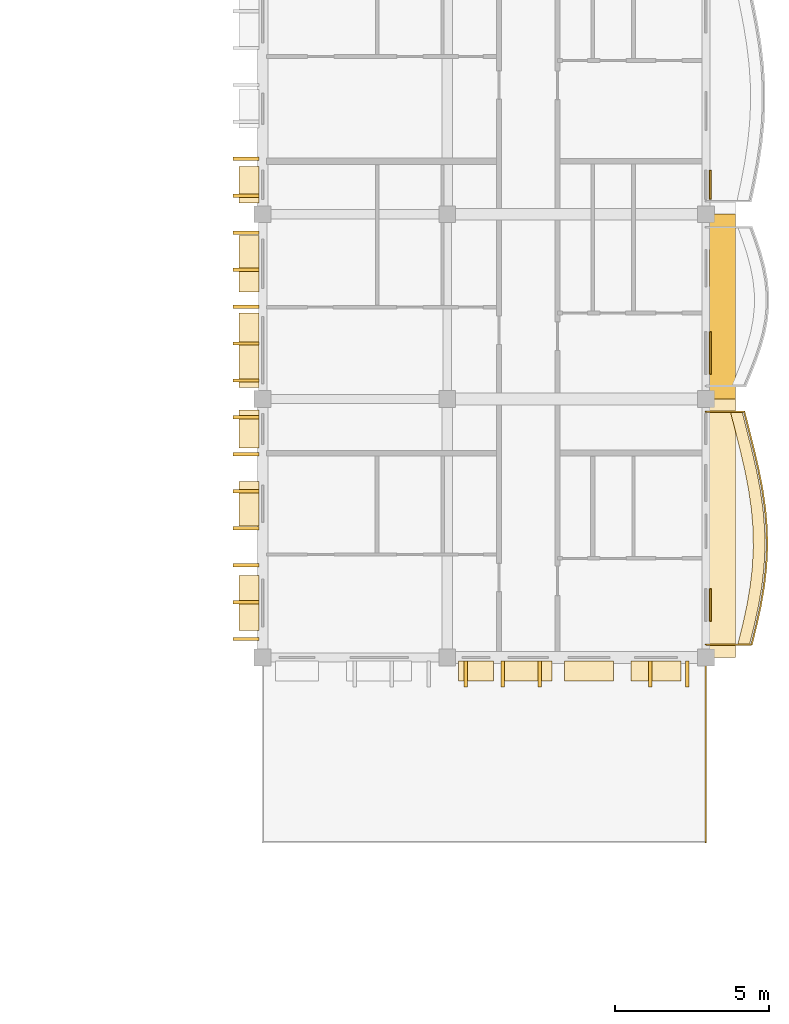
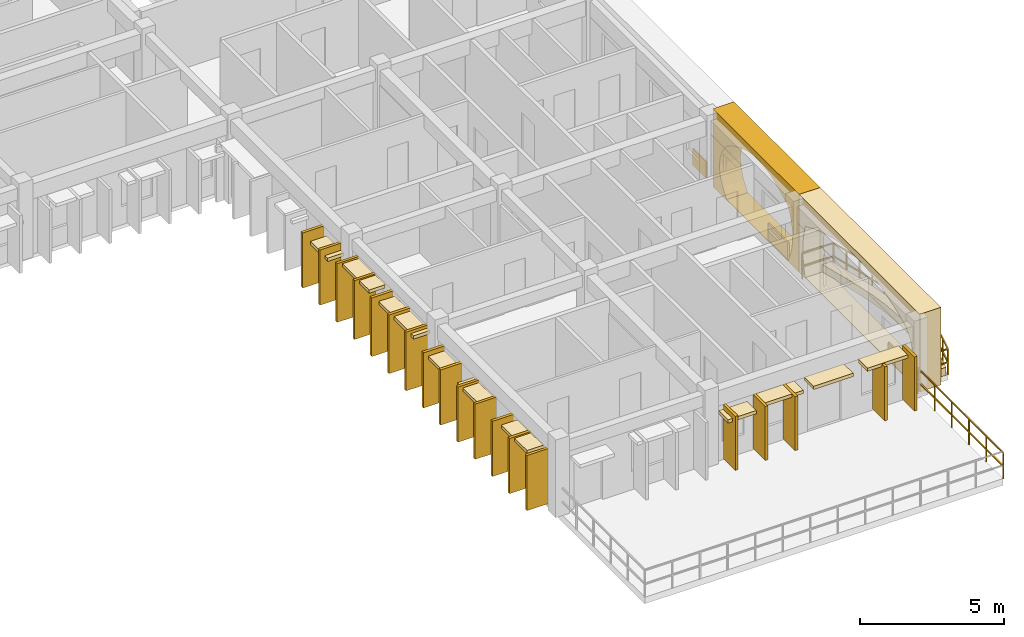
# One storey, part 42 of 45: 35 coverings, 2 railings.
"""IFC4 building model written with IfcOpenShell, lengths in metres."""

from ifc_helpers import new_model, si_unit, direction, frame, origin, origin_2d, place, context, subcontext, project, spatial, polyline, rectangle, outline, extrude, material, layer, layer_set, type_object, element, save


model = new_model("IFC4")

# Units and contexts
model_context = context("Model", 3, precision=1e-05, world=origin(), true_north=direction((0.0, 1.0)))
body_context = subcontext(model_context, "Body", "Model", "MODEL_VIEW")
ifc_project = project(units=[si_unit("LENGTHUNIT", "METRE"), si_unit("AREAUNIT", "SQUARE_METRE"), si_unit("VOLUMEUNIT", "CUBIC_METRE"), si_unit("PLANEANGLEUNIT", "RADIAN"), si_unit("MASSUNIT", "GRAM", prefix="KILO"), si_unit("THERMODYNAMICTEMPERATUREUNIT", "KELVIN")], contexts=[model_context])

# Site, building, storey
site_placement = place(None, origin())
site = spatial("IfcSite", under=ifc_project, at=site_placement, CompositionType="ELEMENT")
building_placement = place(site_placement, origin())
building = spatial("IfcBuilding", under=site, at=building_placement, Name="Thalorik Housing Commons", CompositionType="ELEMENT")
storey_placement = place(building_placement, frame((0.0, 0.0, 34.5)))
storey = spatial("IfcBuildingStorey", under=building, at=storey_placement, Name="L10", CompositionType="ELEMENT", Elevation=34.5)

# Coverings
ifc_material_1 = material(Name="Cobalt blue glazed ceramic facade tile panel", Category="masonry")
ifc_layer_1 = layer(ifc_material_1, 0.06005859375, Name="Cobalt blue glazed ceramic facade tile panel", Category="masonry")
ifc_layer_set_1 = layer_set([ifc_layer_1], Name="Cobalt blue glazed ceramic facade tile panel")
covering_type_1 = type_object("IfcCoveringType", Name="ARC-CLD-BLU-60", PredefinedType="CLADDING", material=ifc_layer_set_1)
covering_1_placement = place(storey_placement, frame((166.947509765625, 88.104248046875, 0.0498046875), z_axis=(0.0, 0.0, 1.0), x_axis=(0.0, 1.0, 0.0)))
element("IfcCovering", 1, at=covering_1_placement, inside=storey, type_object=covering_type_1, Name="L10 De Stijl Recessed Window Spandrel 3161", PredefinedType="CLADDING", context=body_context, shape_type="SweptSolid", body=[
    extrude(rectangle(XDim=1.050048828125, YDim=0.06005859375, at=origin_2d()), origin(), (0.0, 0.0, 1.0), 0.699951171875),
])
ifc_material_2 = material(Name="Precast concrete C40/50", Category="concrete")
ifc_layer_2 = layer(ifc_material_2, 0.85009765625, Name="Precast concrete C40/50", Category="concrete")
ifc_layer_set_2 = layer_set([ifc_layer_2], Name="Precast concrete C40/50")
covering_type_2 = type_object("IfcCoveringType", Name="ARC-CLD-CUSH-850", PredefinedType="CLADDING", material=ifc_layer_set_2)
covering_2_placement = place(storey_placement, frame((167.33740234375, 90.60009765625, 0.0), z_axis=(0.0, 0.0, 1.0), x_axis=(0.0, 1.0, 0.0)))
element("IfcCovering", 2, at=covering_2_placement, inside=storey, type_object=covering_type_2, Name="L10 White Precast Curved Cushion Bay Frame 3160", PredefinedType="CLADDING", context=body_context, shape_type="SweptSolid", body=[
    extrude(outline(polyline([(-4.199951171875, 0.0), (4.199951171875, 0.0), (4.199951171875, 3.300048828125), (-4.199951171875, 3.300048828125), (-4.199951171875, 0.0)]), holes=[polyline([(3.77490234375, 0.02490234375), (3.86474609375, 0.387451171875), (3.918701171875, 0.75), (3.9365234375, 1.112548828125), (3.918701171875, 1.47509765625), (3.86474609375, 1.83740234375), (3.77490234375, 2.199951171875), (3.1904296875, 2.455810546875), (2.605712890625, 2.656494140625), (2.021240234375, 2.819091796875), (1.436767578125, 2.940185546875), (0.85205078125, 3.014892578125), (0.267578125, 3.0400390625), (-0.317138671875, 3.014892578125), (-0.901611328125, 2.940185546875), (-1.486328125, 2.819091796875), (-2.07080078125, 2.656494140625), (-2.655517578125, 2.455810546875), (-3.239990234375, 2.199951171875), (-3.523193359375, 1.83740234375), (-3.693359375, 1.47509765625), (-3.75, 1.112548828125), (-3.693359375, 0.75), (-3.523193359375, 0.387451171875), (-3.239990234375, 0.02490234375), (3.77490234375, 0.02490234375)])]), frame((0.0, 0.425048828125, 0.0), z_axis=(0.0, -1.0, 0.0), x_axis=(1.0, 0.0, 0.0)), (0.0, 0.0, 1.0), 0.85009765625),
])
covering_3_placement = place(storey_placement, frame((167.33740234375, 97.800048828125, 0.0), z_axis=(0.0, 0.0, 1.0), x_axis=(0.0, 1.0, 0.0)))
element("IfcCovering", 3, at=covering_3_placement, inside=storey, type_object=covering_type_2, Name="L10 White Precast Curved Cushion Bay Frame 3162", PredefinedType="CLADDING", context=body_context, shape_type="SweptSolid", body=[
    extrude(outline(polyline([(-3.0, 0.0), (3.0, 0.0), (3.0, 3.300048828125), (-3.0, 3.300048828125), (-3.0, 0.0)]), holes=[polyline([(2.0400390625, 0.02490234375), (2.3232421875, 0.404296875), (2.493408203125, 0.783203125), (2.550048828125, 1.16259765625), (2.493408203125, 1.541748046875), (2.3232421875, 1.9208984375), (2.0400390625, 2.300048828125), (1.6826171875, 2.525390625), (1.324951171875, 2.7021484375), (0.967529296875, 2.845458984375), (0.610107421875, 2.951904296875), (0.252685546875, 3.017822265625), (-0.10498046875, 3.0400390625), (-0.46240234375, 3.017822265625), (-0.81982421875, 2.951904296875), (-1.17724609375, 2.845458984375), (-1.534912109375, 2.7021484375), (-1.892333984375, 2.525390625), (-2.249755859375, 2.300048828125), (-2.41650390625, 1.9208984375), (-2.5166015625, 1.541748046875), (-2.550048828125, 1.16259765625), (-2.5166015625, 0.783203125), (-2.41650390625, 0.404296875), (-2.249755859375, 0.02490234375), (2.0400390625, 0.02490234375)])]), frame((0.0, 0.425048828125, 0.0), z_axis=(0.0, -1.0, 0.0), x_axis=(1.0, 0.0, 0.0)), (0.0, 0.0, 1.0), 0.85009765625),
])
ifc_layer_3 = layer(ifc_material_2, 0.85009765625, Name="Precast concrete C40/50", Category="concrete")
ifc_layer_set_3 = layer_set([ifc_layer_3], Name="Precast concrete C40/50")
covering_type_3 = type_object("IfcCoveringType", Name="ARC-CLD-FIN-850", PredefinedType="CLADDING", material=ifc_layer_set_3)
for number, where, z_axis, x_axis, name in (
    (4, (151.862548828125, 102.60009765625, 0.0400390625), (0.0, 0.0, 1.0), (0.0, -1.0, 0.0), "L10 Courtyard Precast Vertical Brise-Soleil Fin 3124"),
    (5, (151.862548828125, 101.39990234375, 0.0400390625), (0.0, 0.0, 1.0), (0.0, -1.0, 0.0), "L10 Courtyard Precast Vertical Brise-Soleil Fin 3125"),
):
    element("IfcCovering", number, at=place(storey_placement, frame(where, z_axis=z_axis, x_axis=x_axis)), inside=storey, type_object=covering_type_3, Name=name, PredefinedType="CLADDING", context=body_context, shape_type="SweptSolid", body=[
        extrude(rectangle(XDim=0.110107421875, YDim=0.85009765625, at=origin_2d()), origin(), (0.0, 0.0, 1.0), 2.344970703125),
    ])
for number, where, z_axis, x_axis, name in (
    (6, (151.862548828125, 100.199951171875, 0.0400390625), (0.0, 0.0, 1.0), (0.0, -1.0, 0.0), "L10 Courtyard Precast Vertical Brise-Soleil Fin 3129"),
    (7, (151.862548828125, 99.0, 0.0400390625), (0.0, 0.0, 1.0), (0.0, -1.0, 0.0), "L10 Courtyard Precast Vertical Brise-Soleil Fin 3130"),
    (8, (151.862548828125, 97.800048828125, 0.0400390625), (0.0, 0.0, 1.0), (0.0, -1.0, 0.0), "L10 Courtyard Precast Vertical Brise-Soleil Fin 3131"),
    (9, (151.862548828125, 96.60009765625, 0.0400390625), (0.0, 0.0, 1.0), (0.0, -1.0, 0.0), "L10 Courtyard Precast Vertical Brise-Soleil Fin 3132"),
    (10, (151.862548828125, 95.39990234375, 0.0400390625), (0.0, 0.0, 1.0), (0.0, -1.0, 0.0), "L10 Courtyard Precast Vertical Brise-Soleil Fin 3133"),
):
    element("IfcCovering", number, at=place(storey_placement, frame(where, z_axis=z_axis, x_axis=x_axis)), inside=storey, type_object=covering_type_3, Name=name, PredefinedType="CLADDING", context=body_context, shape_type="SweptSolid", body=[
        extrude(rectangle(XDim=0.110107421875, YDim=0.85009765625, at=origin_2d()), origin(), (0.0, 0.0, 1.0), 2.4951171875),
    ])
for number, where, z_axis, x_axis, name in (
    (11, (151.862548828125, 94.199951171875, 0.0400390625), (0.0, 0.0, 1.0), (0.0, -1.0, 0.0), "L10 Courtyard Precast Vertical Brise-Soleil Fin 3136"),
    (12, (151.862548828125, 93.0, 0.0400390625), (0.0, 0.0, 1.0), (0.0, -1.0, 0.0), "L10 Courtyard Precast Vertical Brise-Soleil Fin 3137"),
    (13, (151.862548828125, 91.800048828125, 0.0400390625), (0.0, 0.0, 1.0), (0.0, -1.0, 0.0), "L10 Courtyard Precast Vertical Brise-Soleil Fin 3138"),
    (14, (151.862548828125, 90.60009765625, 0.0400390625), (0.0, 0.0, 1.0), (0.0, -1.0, 0.0), "L10 Courtyard Precast Vertical Brise-Soleil Fin 3139"),
    (15, (151.862548828125, 89.39990234375, 0.0400390625), (0.0, 0.0, 1.0), (0.0, -1.0, 0.0), "L10 Courtyard Precast Vertical Brise-Soleil Fin 3140"),
    (16, (151.862548828125, 88.199951171875, 0.0400390625), (0.0, 0.0, 1.0), (0.0, -1.0, 0.0), "L10 Courtyard Precast Vertical Brise-Soleil Fin 3141"),
    (17, (151.862548828125, 87.0, 0.0400390625), (0.0, 0.0, 1.0), (0.0, -1.0, 0.0), "L10 Courtyard Precast Vertical Brise-Soleil Fin 3142"),
):
    element("IfcCovering", number, at=place(storey_placement, frame(where, z_axis=z_axis, x_axis=x_axis)), inside=storey, type_object=covering_type_3, Name=name, PredefinedType="CLADDING", context=body_context, shape_type="SweptSolid", body=[
        extrude(rectangle(XDim=0.110107421875, YDim=0.85009765625, at=origin_2d()), origin(), (0.0, 0.0, 1.0), 2.344970703125),
    ])
for number, where, z_axis, x_axis, name in (
    (18, (159.0, 85.862548828125, 0.0400390625), (0.0, 0.0, 1.0), (1.0, 0.0, 0.0), "L10 Courtyard Precast Vertical Brise-Soleil Fin 3151"),
    (19, (160.199951171875, 85.862548828125, 0.0400390625), (0.0, 0.0, 1.0), (1.0, 0.0, 0.0), "L10 Courtyard Precast Vertical Brise-Soleil Fin 3152"),
    (20, (161.39990234375, 85.862548828125, 0.0400390625), (0.0, 0.0, 1.0), (1.0, 0.0, 0.0), "L10 Courtyard Precast Vertical Brise-Soleil Fin 3153"),
    (21, (165.0, 85.862548828125, 0.0400390625), (0.0, 0.0, 1.0), (1.0, 0.0, 0.0), "L10 Courtyard Precast Vertical Brise-Soleil Fin 3154"),
    (22, (166.199951171875, 85.862548828125, 0.0400390625), (0.0, 0.0, 1.0), (1.0, 0.0, 0.0), "L10 Courtyard Precast Vertical Brise-Soleil Fin 3155"),
):
    element("IfcCovering", number, at=place(storey_placement, frame(where, z_axis=z_axis, x_axis=x_axis)), inside=storey, type_object=covering_type_3, Name=name, PredefinedType="CLADDING", context=body_context, shape_type="SweptSolid", body=[
        extrude(rectangle(XDim=0.110107421875, YDim=0.85009765625, at=origin_2d()), origin(), (0.0, 0.0, 1.0), 2.294921875),
    ])
ifc_layer_4 = layer(ifc_material_2, 0.64990234375, Name="Precast concrete C40/50", Category="concrete")
ifc_layer_set_4 = layer_set([ifc_layer_4], Name="Precast concrete C40/50")
covering_type_4 = type_object("IfcCoveringType", Name="ARC-CLD-HOOD-650", PredefinedType="CLADDING", material=ifc_layer_set_4)
covering_4_placement = place(storey_placement, frame((151.96240234375, 101.7548828125, 1.93994140625), z_axis=(0.0, 0.0, 1.0), x_axis=(0.0, -1.0, 0.0)))
element("IfcCovering", 23, at=covering_4_placement, inside=storey, type_object=covering_type_4, Name="L10 Courtyard Precast Window Sun-Hood 3128", PredefinedType="CLADDING", context=body_context, shape_type="SweptSolid", body=[
    extrude(rectangle(XDim=1.18994140625, YDim=0.64990234375, at=origin_2d()), origin(), (0.0, 0.0, 1.0), 0.139892578125),
])
covering_5_placement = place(storey_placement, frame((151.96240234375, 99.195068359375, 2.33984375), z_axis=(0.0, 0.0, 1.0), x_axis=(0.0, -1.0, 0.0)))
element("IfcCovering", 24, at=covering_5_placement, inside=storey, type_object=covering_type_4, Name="L10 Courtyard Precast Window Sun-Hood 3134", PredefinedType="CLADDING", context=body_context, shape_type="SweptSolid", body=[
    extrude(rectangle(XDim=1.840087890625, YDim=0.64990234375, at=origin_2d()), origin(), (0.0, 0.0, 1.0), 0.139892578125),
])
covering_6_placement = place(storey_placement, frame((151.96240234375, 96.385009765625, 2.27001953125), z_axis=(0.0, 0.0, 1.0), x_axis=(0.0, -1.0, 0.0)))
element("IfcCovering", 25, at=covering_6_placement, inside=storey, type_object=covering_type_4, Name="L10 Courtyard Precast Window Sun-Hood 3135", PredefinedType="CLADDING", context=body_context, shape_type="SweptSolid", body=[
    extrude(rectangle(XDim=2.419921875, YDim=0.64990234375, at=origin_2d()), origin(), (0.0, 0.0, 1.0), 0.139892578125),
])
covering_7_placement = place(storey_placement, frame((151.96240234375, 93.824951171875, 2.0400390625), z_axis=(0.0, 0.0, 1.0), x_axis=(0.0, -1.0, 0.0)))
element("IfcCovering", 26, at=covering_7_placement, inside=storey, type_object=covering_type_4, Name="L10 Courtyard Precast Window Sun-Hood 3143", PredefinedType="CLADDING", context=body_context, shape_type="SweptSolid", body=[
    extrude(rectangle(XDim=1.239990234375, YDim=0.64990234375, at=origin_2d()), origin(), (0.0, 0.0, 1.0), 0.139892578125),
])
covering_8_placement = place(storey_placement, frame((151.96240234375, 91.39501953125, 2.14013671875), z_axis=(0.0, 0.0, 1.0), x_axis=(0.0, -1.0, 0.0)))
element("IfcCovering", 27, at=covering_8_placement, inside=storey, type_object=covering_type_4, Name="L10 Courtyard Precast Window Sun-Hood 3144", PredefinedType="CLADDING", context=body_context, shape_type="SweptSolid", body=[
    extrude(rectangle(XDim=1.43994140625, YDim=0.64990234375, at=origin_2d()), origin(), (0.0, 0.0, 1.0), 0.139892578125),
])
covering_9_placement = place(storey_placement, frame((151.96240234375, 88.169921875, 2.18994140625), z_axis=(0.0, 0.0, 1.0), x_axis=(0.0, -1.0, 0.0)))
element("IfcCovering", 28, at=covering_9_placement, inside=storey, type_object=covering_type_4, Name="L10 Courtyard Precast Window Sun-Hood 3145", PredefinedType="CLADDING", context=body_context, shape_type="SweptSolid", body=[
    extrude(rectangle(XDim=1.7900390625, YDim=0.64990234375, at=origin_2d()), origin(), (0.0, 0.0, 1.0), 0.139892578125),
])
covering_10_placement = place(storey_placement, frame((163.0048828125, 85.96240234375, 2.2099609375), z_axis=(0.0, 0.0, 1.0), x_axis=(1.0, 0.0, 0.0)))
element("IfcCovering", 29, at=covering_10_placement, inside=storey, type_object=covering_type_4, Name="L10 Courtyard Precast Window Sun-Hood 3156", PredefinedType="CLADDING", context=body_context, shape_type="SweptSolid", body=[
    extrude(rectangle(XDim=1.590087890625, YDim=0.64990234375, at=origin_2d()), origin(), (0.0, 0.0, 1.0), 0.139892578125),
])
covering_11_placement = place(storey_placement, frame((165.179931640625, 85.96240234375, 2.22509765625), z_axis=(0.0, 0.0, 1.0), x_axis=(1.0, 0.0, 0.0)))
element("IfcCovering", 30, at=covering_11_placement, inside=storey, type_object=covering_type_4, Name="L10 Courtyard Precast Window Sun-Hood 3157", PredefinedType="CLADDING", context=body_context, shape_type="SweptSolid", body=[
    extrude(rectangle(XDim=1.6201171875, YDim=0.64990234375, at=origin_2d()), origin(), (0.0, 0.0, 1.0), 0.139892578125),
])
covering_12_placement = place(storey_placement, frame((159.3349609375, 85.96240234375, 1.990234375), z_axis=(0.0, 0.0, 1.0), x_axis=(1.0, 0.0, 0.0)))
element("IfcCovering", 31, at=covering_12_placement, inside=storey, type_object=covering_type_4, Name="L10 Courtyard Precast Window Sun-Hood 3158", PredefinedType="CLADDING", context=body_context, shape_type="SweptSolid", body=[
    extrude(rectangle(XDim=1.139892578125, YDim=0.64990234375, at=origin_2d()), origin(), (0.0, 0.0, 1.0), 0.139892578125),
])
covering_13_placement = place(storey_placement, frame((161.030029296875, 85.96240234375, 2.18994140625), z_axis=(0.0, 0.0, 1.0), x_axis=(1.0, 0.0, 0.0)))
element("IfcCovering", 32, at=covering_13_placement, inside=storey, type_object=covering_type_4, Name="L10 Courtyard Precast Window Sun-Hood 3159", PredefinedType="CLADDING", context=body_context, shape_type="SweptSolid", body=[
    extrude(rectangle(XDim=1.5400390625, YDim=0.64990234375, at=origin_2d()), origin(), (0.0, 0.0, 1.0), 0.139892578125),
])
ifc_material_3 = material(Name="Terracotta red mineral fibre-cement panel", Category="masonry")
ifc_layer_5 = layer(ifc_material_3, 0.054931640625, Name="Terracotta red mineral fibre-cement panel", Category="masonry")
ifc_layer_set_5 = layer_set([ifc_layer_5], Name="Terracotta red mineral fibre-cement panel")
covering_type_5 = type_object("IfcCoveringType", Name="ARC-CLD-RED-55", PredefinedType="CLADDING", material=ifc_layer_set_5)
covering_14_placement = place(storey_placement, frame((166.945068359375, 101.7548828125, 0.0498046875), z_axis=(0.0, 0.0, 1.0), x_axis=(0.0, 1.0, 0.0)))
element("IfcCovering", 33, at=covering_14_placement, inside=storey, type_object=covering_type_5, Name="L10 De Stijl Recessed Window Spandrel 3165", PredefinedType="CLADDING", context=body_context, shape_type="SweptSolid", body=[
    extrude(rectangle(XDim=0.949951171875, YDim=0.054931640625, at=origin_2d()), origin(), (0.0, 0.0, 1.0), 0.699951171875),
])
ifc_material_4 = material(Name="Mineral ochre architectural terracotta panel", Category="masonry")
ifc_layer_6 = layer(ifc_material_4, 0.06494140625, Name="Mineral ochre architectural terracotta panel", Category="masonry")
ifc_layer_set_6 = layer_set([ifc_layer_6], Name="Mineral ochre architectural terracotta panel")
covering_type_6 = type_object("IfcCoveringType", Name="ARC-CLD-YEL-65", PredefinedType="CLADDING", material=ifc_layer_set_6)
covering_15_placement = place(storey_placement, frame((166.949951171875, 96.290283203125, 0.0498046875), z_axis=(0.0, 0.0, 1.0), x_axis=(0.0, 1.0, 0.0)))
element("IfcCovering", 34, at=covering_15_placement, inside=storey, type_object=covering_type_6, Name="L10 De Stijl Recessed Window Spandrel 3163", PredefinedType="CLADDING", context=body_context, shape_type="SweptSolid", body=[
    extrude(rectangle(XDim=1.3798828125, YDim=0.06494140625, at=origin_2d()), origin(), (0.0, 0.0, 1.0), 0.699951171875),
])
ifc_material_5 = material(Name="Planted vegetated substrate and terracotta trough", Category="masonry")
ifc_layer_7 = layer(ifc_material_5, 0.340087890625, Name="Planted vegetated substrate and terracotta trough", Category="masonry")
ifc_layer_set_7 = layer_set([ifc_layer_7], Name="Planted vegetated substrate and terracotta trough")
covering_type_7 = type_object("IfcCoveringType", Name="ARC-COV-PLANTER", PredefinedType="USERDEFINED", material=ifc_layer_set_7)
covering_16_placement = place(storey_placement, origin())
element("IfcCovering", 35, at=covering_16_placement, inside=storey, type_object=covering_type_7, Name="L10 Balcony Slab-Edge Planted Trough 5546", ObjectType="PLANTER", PredefinedType="USERDEFINED", context=body_context, shape_type="SweptSolid", body=[
    extrude(outline(polyline([(168.217529296875, 86.820068359375), (168.3740234375, 87.449951171875), (168.510986328125, 88.080078125), (168.619140625, 88.7099609375), (168.691162109375, 89.340087890625), (168.722412109375, 89.969970703125), (168.7109375, 90.60009765625), (168.65771484375, 91.22998046875), (168.56689453125, 91.860107421875), (168.4443359375, 92.489990234375), (168.299072265625, 93.1201171875), (168.140625, 93.75), (167.98046875, 94.3798828125), (167.600341796875, 94.3798828125), (167.7607421875, 93.75), (167.9189453125, 93.1201171875), (168.064453125, 92.489990234375), (168.186767578125, 91.860107421875), (168.27783203125, 91.22998046875), (168.3310546875, 90.60009765625), (168.34228515625, 89.969970703125), (168.311279296875, 89.340087890625), (168.239013671875, 88.7099609375), (168.131103515625, 88.080078125), (167.994140625, 87.449951171875), (167.837646484375, 86.820068359375), (168.217529296875, 86.820068359375)])), origin(), (0.0, 0.0, 1.0), 0.340087890625),
])

# Railings
ifc_material_6 = material(Name="Steel S355", Category="steel")
railing_type_1 = type_object("IfcRailingType", Name="ARC-RL-BAL-112", PredefinedType="BALUSTRADE", material=ifc_material_6)
railing_1_placement = place(storey_placement, frame((166.800048828125, 86.820068359375, 0.0)))
element("IfcRailing", 36, at=railing_1_placement, inside=storey, type_object=railing_type_1, Name="L10 Cushion Balcony Guardrail 230", PredefinedType="BALUSTRADE", context=body_context, shape_type="SweptSolid", body=[
    extrude(rectangle(XDim=0.050048828125, YDim=0.050048828125, at=origin_2d()), frame((0.0, 0.0, 1.09521484375), z_axis=(1.0, 0.0, 0.0), x_axis=(0.0, 1.0, 0.0)), (0.0, 0.0, 1.0), 1.487548828125),
    extrude(rectangle(XDim=0.050048828125, YDim=0.050048828125, at=origin_2d()), frame((0.0, 0.0, 0.53515625), z_axis=(1.0, 0.0, 0.0), x_axis=(0.0, 1.0, 0.0)), (0.0, 0.0, 1.0), 1.487548828125),
    extrude(rectangle(XDim=0.050048828125, YDim=0.050048828125, at=origin_2d()), frame((1.487548828125, 0.0, 1.09521484375), z_axis=(0.241119230936, 0.970495500491, 0.0), x_axis=(-0.970495500491, 0.241119230936, 0.0)), (0.0, 0.0, 1.0), 0.64892578125),
    extrude(rectangle(XDim=0.050048828125, YDim=0.050048828125, at=origin_2d()), frame((1.487548828125, 0.0, 0.53515625), z_axis=(0.241119230936, 0.970495500491, 0.0), x_axis=(-0.970495500491, 0.241119230936, 0.0)), (0.0, 0.0, 1.0), 0.64892578125),
    extrude(rectangle(XDim=0.050048828125, YDim=0.050048828125, at=origin_2d()), frame((1.64404296875, 0.6298828125, 1.09521484375), z_axis=(0.212398207586, 0.977183197468, 0.0), x_axis=(-0.977183197468, 0.212398207586, 0.0)), (0.0, 0.0, 1.0), 0.644775390625),
    extrude(rectangle(XDim=0.050048828125, YDim=0.050048828125, at=origin_2d()), frame((1.64404296875, 0.6298828125, 0.53515625), z_axis=(0.212398207586, 0.977183197468, 0.0), x_axis=(-0.977183197468, 0.212398207586, 0.0)), (0.0, 0.0, 1.0), 0.644775390625),
    extrude(rectangle(XDim=0.050048828125, YDim=0.050048828125, at=origin_2d()), frame((1.781005859375, 1.260009765625, 1.09521484375), z_axis=(0.16922888092, 0.985576778269, 0.0), x_axis=(-0.985576778269, 0.16922888092, 0.0)), (0.0, 0.0, 1.0), 0.63916015625),
    extrude(rectangle(XDim=0.050048828125, YDim=0.050048828125, at=origin_2d()), frame((1.781005859375, 1.260009765625, 0.53515625), z_axis=(0.16922888092, 0.985576778269, 0.0), x_axis=(-0.985576778269, 0.16922888092, 0.0)), (0.0, 0.0, 1.0), 0.63916015625),
    extrude(rectangle(XDim=0.050048828125, YDim=0.050048828125, at=origin_2d()), frame((1.88916015625, 1.889892578125, 1.09521484375), z_axis=(0.113557447655, 0.993531431854, 0.0), x_axis=(-0.993531431854, 0.113557447655, 0.0)), (0.0, 0.0, 1.0), 0.63427734375),
    extrude(rectangle(XDim=0.050048828125, YDim=0.050048828125, at=origin_2d()), frame((1.88916015625, 1.889892578125, 0.53515625), z_axis=(0.113557447655, 0.993531431854, 0.0), x_axis=(-0.993531431854, 0.113557447655, 0.0)), (0.0, 0.0, 1.0), 0.63427734375),
    extrude(rectangle(XDim=0.050048828125, YDim=0.050048828125, at=origin_2d()), frame((1.961181640625, 2.52001953125, 1.09521484375), z_axis=(0.049551457835, 0.998771571996, 0.0), x_axis=(-0.998771571996, 0.049551457835, 0.0)), (0.0, 0.0, 1.0), 0.630615234375),
    extrude(rectangle(XDim=0.050048828125, YDim=0.050048828125, at=origin_2d()), frame((1.961181640625, 2.52001953125, 0.53515625), z_axis=(0.049551457835, 0.998771571996, 0.0), x_axis=(-0.998771571996, 0.049551457835, 0.0)), (0.0, 0.0, 1.0), 0.630615234375),
    extrude(rectangle(XDim=0.050048828125, YDim=0.050048828125, at=origin_2d()), frame((1.992431640625, 3.14990234375, 1.09521484375), z_axis=(-0.018206977623, 0.999834239245, 0.0), x_axis=(-0.999834239245, -0.018206977623, 0.0)), (0.0, 0.0, 1.0), 0.630126953125),
    extrude(rectangle(XDim=0.050048828125, YDim=0.050048828125, at=origin_2d()), frame((1.992431640625, 3.14990234375, 0.53515625), z_axis=(-0.018206977623, 0.999834239245, 0.0), x_axis=(-0.999834239245, -0.018206977623, 0.0)), (0.0, 0.0, 1.0), 0.630126953125),
    extrude(rectangle(XDim=0.050048828125, YDim=0.050048828125, at=origin_2d()), frame((1.98095703125, 3.780029296875, 1.09521484375), z_axis=(-0.084196095588, 0.99644920467, 0.0), x_axis=(-0.99644920467, -0.084196095588, 0.0)), (0.0, 0.0, 1.0), 0.632080078125),
    extrude(rectangle(XDim=0.050048828125, YDim=0.050048828125, at=origin_2d()), frame((1.98095703125, 3.780029296875, 0.53515625), z_axis=(-0.084196095588, 0.99644920467, 0.0), x_axis=(-0.99644920467, -0.084196095588, 0.0)), (0.0, 0.0, 1.0), 0.632080078125),
    extrude(rectangle(XDim=0.050048828125, YDim=0.050048828125, at=origin_2d()), frame((1.927734375, 4.409912109375, 1.09521484375), z_axis=(-0.143031713848, 0.989718105742, 0.0), x_axis=(-0.989718105742, -0.143031713848, 0.0)), (0.0, 0.0, 1.0), 0.63671875),
    extrude(rectangle(XDim=0.050048828125, YDim=0.050048828125, at=origin_2d()), frame((1.927734375, 4.409912109375, 0.53515625), z_axis=(-0.143031713848, 0.989718105742, 0.0), x_axis=(-0.989718105742, -0.143031713848, 0.0)), (0.0, 0.0, 1.0), 0.63671875),
    extrude(rectangle(XDim=0.050048828125, YDim=0.050048828125, at=origin_2d()), frame((1.836669921875, 5.0400390625, 1.09521484375), z_axis=(-0.190625234658, 0.981662885064, 0.0), x_axis=(-0.981662885064, -0.190625234658, 0.0)), (0.0, 0.0, 1.0), 0.6416015625),
    extrude(rectangle(XDim=0.050048828125, YDim=0.050048828125, at=origin_2d()), frame((1.836669921875, 5.0400390625, 0.53515625), z_axis=(-0.190625234658, 0.981662885064, 0.0), x_axis=(-0.981662885064, -0.190625234658, 0.0)), (0.0, 0.0, 1.0), 0.6416015625),
    extrude(rectangle(XDim=0.050048828125, YDim=0.050048828125, at=origin_2d()), frame((1.71435546875, 5.669921875, 1.09521484375), z_axis=(-0.224997360081, 0.974359373104, 0.0), x_axis=(-0.974359373104, -0.224997360081, 0.0)), (0.0, 0.0, 1.0), 0.646728515625),
    extrude(rectangle(XDim=0.050048828125, YDim=0.050048828125, at=origin_2d()), frame((1.71435546875, 5.669921875, 0.53515625), z_axis=(-0.224997360081, 0.974359373104, 0.0), x_axis=(-0.974359373104, -0.224997360081, 0.0)), (0.0, 0.0, 1.0), 0.646728515625),
    extrude(rectangle(XDim=0.050048828125, YDim=0.050048828125, at=origin_2d()), frame((1.56884765625, 6.300048828125, 1.09521484375), z_axis=(-0.243596904294, 0.969876563393, 0.0), x_axis=(-0.969876563393, -0.243596904294, 0.0)), (0.0, 0.0, 1.0), 0.6494140625),
    extrude(rectangle(XDim=0.050048828125, YDim=0.050048828125, at=origin_2d()), frame((1.56884765625, 6.300048828125, 0.53515625), z_axis=(-0.243596904294, 0.969876563393, 0.0), x_axis=(-0.969876563393, -0.243596904294, 0.0)), (0.0, 0.0, 1.0), 0.6494140625),
    extrude(rectangle(XDim=0.050048828125, YDim=0.050048828125, at=origin_2d()), frame((1.41064453125, 6.929931640625, 1.09521484375), z_axis=(-0.246775484912, 0.969072680477, 0.0), x_axis=(-0.969072680477, -0.246775484912, 0.0)), (0.0, 0.0, 1.0), 0.64990234375),
    extrude(rectangle(XDim=0.050048828125, YDim=0.050048828125, at=origin_2d()), frame((1.41064453125, 6.929931640625, 0.53515625), z_axis=(-0.246775484912, 0.969072680477, 0.0), x_axis=(-0.969072680477, -0.246775484912, 0.0)), (0.0, 0.0, 1.0), 0.64990234375),
    extrude(rectangle(XDim=0.050048828125, YDim=0.050048828125, at=origin_2d()), frame((1.250244140625, 7.559814453125, 1.09521484375), z_axis=(-1.0, 0.0, 0.0), x_axis=(0.0, -1.0, 0.0)), (0.0, 0.0, 1.0), 1.250244140625),
    extrude(rectangle(XDim=0.050048828125, YDim=0.050048828125, at=origin_2d()), frame((1.250244140625, 7.559814453125, 0.53515625), z_axis=(-1.0, 0.0, 0.0), x_axis=(0.0, -1.0, 0.0)), (0.0, 0.0, 1.0), 1.250244140625),
    extrude(rectangle(XDim=0.0419921875, YDim=0.0419921875, at=origin_2d()), origin(), (0.0, 0.0, 1.0), 1.070068359375),
    extrude(rectangle(XDim=0.0419921875, YDim=0.0419921875, at=origin_2d()), frame((1.487548828125, 0.0, 0.0)), (0.0, 0.0, 1.0), 1.070068359375),
    extrude(rectangle(XDim=0.0419921875, YDim=0.0419921875, at=origin_2d()), frame((1.64404296875, 0.6298828125, 0.0)), (0.0, 0.0, 1.0), 1.070068359375),
    extrude(rectangle(XDim=0.0419921875, YDim=0.0419921875, at=origin_2d()), frame((1.781005859375, 1.260009765625, 0.0)), (0.0, 0.0, 1.0), 1.070068359375),
    extrude(rectangle(XDim=0.0419921875, YDim=0.0419921875, at=origin_2d()), frame((1.88916015625, 1.889892578125, 0.0)), (0.0, 0.0, 1.0), 1.070068359375),
    extrude(rectangle(XDim=0.0419921875, YDim=0.0419921875, at=origin_2d()), frame((1.961181640625, 2.52001953125, 0.0)), (0.0, 0.0, 1.0), 1.070068359375),
    extrude(rectangle(XDim=0.0419921875, YDim=0.0419921875, at=origin_2d()), frame((1.992431640625, 3.14990234375, 0.0)), (0.0, 0.0, 1.0), 1.070068359375),
    extrude(rectangle(XDim=0.0419921875, YDim=0.0419921875, at=origin_2d()), frame((1.98095703125, 3.780029296875, 0.0)), (0.0, 0.0, 1.0), 1.070068359375),
    extrude(rectangle(XDim=0.0419921875, YDim=0.0419921875, at=origin_2d()), frame((1.927734375, 4.409912109375, 0.0)), (0.0, 0.0, 1.0), 1.070068359375),
    extrude(rectangle(XDim=0.0419921875, YDim=0.0419921875, at=origin_2d()), frame((1.836669921875, 5.0400390625, 0.0)), (0.0, 0.0, 1.0), 1.070068359375),
    extrude(rectangle(XDim=0.0419921875, YDim=0.0419921875, at=origin_2d()), frame((1.71435546875, 5.669921875, 0.0)), (0.0, 0.0, 1.0), 1.070068359375),
    extrude(rectangle(XDim=0.0419921875, YDim=0.0419921875, at=origin_2d()), frame((1.56884765625, 6.300048828125, 0.0)), (0.0, 0.0, 1.0), 1.070068359375),
    extrude(rectangle(XDim=0.0419921875, YDim=0.0419921875, at=origin_2d()), frame((1.41064453125, 6.929931640625, 0.0)), (0.0, 0.0, 1.0), 1.070068359375),
    extrude(rectangle(XDim=0.0419921875, YDim=0.0419921875, at=origin_2d()), frame((1.250244140625, 7.559814453125, 0.0)), (0.0, 0.0, 1.0), 1.070068359375),
    extrude(rectangle(XDim=0.0419921875, YDim=0.0419921875, at=origin_2d()), frame((0.0, 7.559814453125, 0.0)), (0.0, 0.0, 1.0), 1.070068359375),
])
railing_type_2 = type_object("IfcRailingType", Name="ARC-RL-TER-112", PredefinedType="GUARDRAIL", material=ifc_material_6)
railing_2_placement = place(storey_placement, frame((166.800048828125, 80.39990234375, 0.0)))
element("IfcRailing", 37, at=railing_2_placement, inside=storey, type_object=railing_type_2, Name="L10 L10 South Roof Terrace Edge Guardrail", PredefinedType="GUARDRAIL", context=body_context, shape_type="SweptSolid", body=[
    extrude(rectangle(XDim=0.048095703125, YDim=0.048095703125, at=origin_2d()), frame((0.0, 0.0, 1.09619140625), z_axis=(0.0, 1.0, 0.0), x_axis=(-1.0, 0.0, 0.0)), (0.0, 0.0, 1.0), 5.9501953125),
    extrude(rectangle(XDim=0.048095703125, YDim=0.048095703125, at=origin_2d()), frame((0.0, 0.0, 0.5361328125), z_axis=(0.0, 1.0, 0.0), x_axis=(-1.0, 0.0, 0.0)), (0.0, 0.0, 1.0), 5.9501953125),
    extrude(rectangle(XDim=0.0419921875, YDim=0.0419921875, at=origin_2d()), origin(), (0.0, 0.0, 1.0), 1.072021484375),
    extrude(rectangle(XDim=0.0419921875, YDim=0.0419921875, at=origin_2d()), frame((0.0, 1.18994140625, 0.0)), (0.0, 0.0, 1.0), 1.072021484375),
    extrude(rectangle(XDim=0.0419921875, YDim=0.0419921875, at=origin_2d()), frame((0.0, 2.380126953125, 0.0)), (0.0, 0.0, 1.0), 1.072021484375),
    extrude(rectangle(XDim=0.0419921875, YDim=0.0419921875, at=origin_2d()), frame((0.0, 3.570068359375, 0.0)), (0.0, 0.0, 1.0), 1.072021484375),
    extrude(rectangle(XDim=0.0419921875, YDim=0.0419921875, at=origin_2d()), frame((0.0, 4.76025390625, 0.0)), (0.0, 0.0, 1.0), 1.072021484375),
    extrude(rectangle(XDim=0.0419921875, YDim=0.0419921875, at=origin_2d()), frame((0.0, 5.9501953125, 0.0)), (0.0, 0.0, 1.0), 1.072021484375),
])

save(model, "model.ifc")
